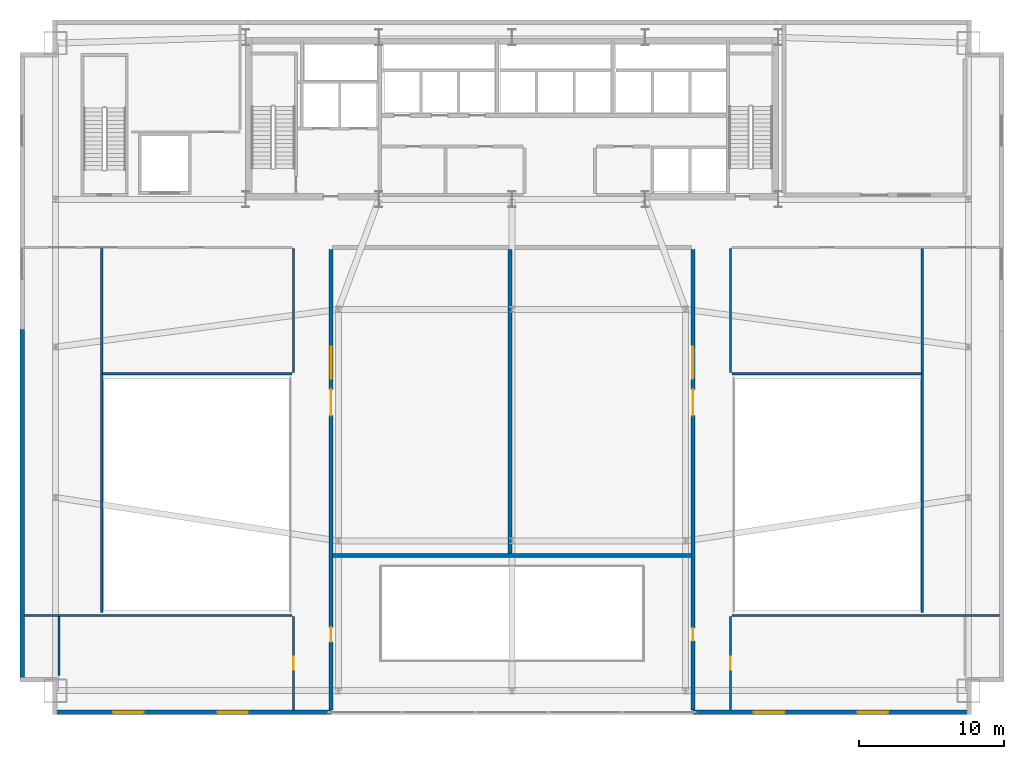
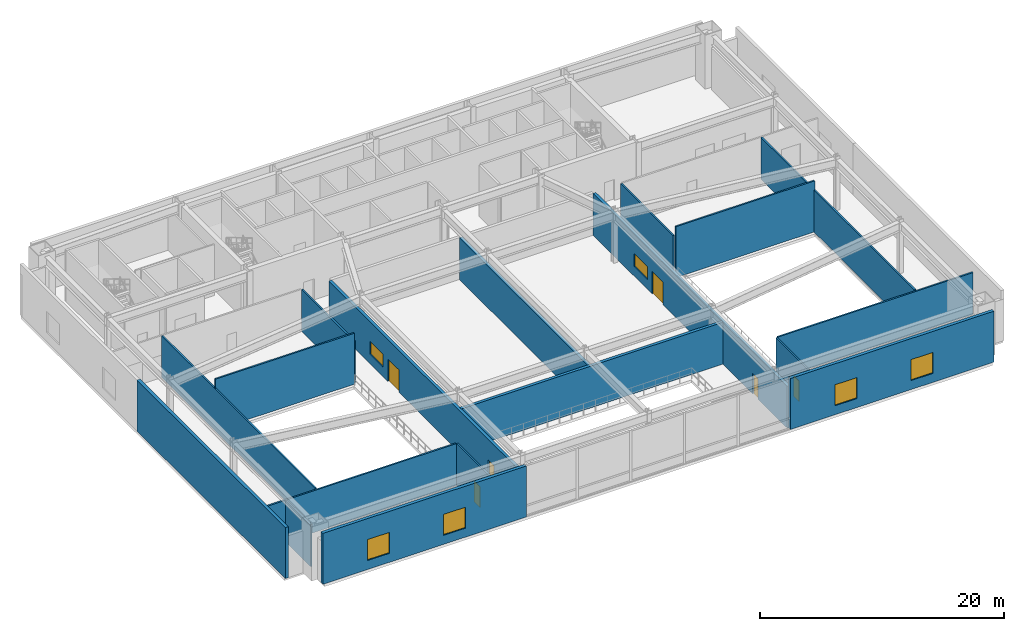
# One storey, part 8 of 13: 18 walls, 6 doors, 6 windows, 12 openings.
"""IFC4 building model written with IfcOpenShell, lengths in metres."""

from ifc_helpers import new_model, si_unit, direction, frame, frame_2d, origin, place, context, subcontext, project, spatial, rectangle, extrude, source, transform, mapped, material, layer, layer_set, type_object, type_shapes, element, fill, save


model = new_model("IFC4")

# Units and contexts
model_context = context("Model", 3, precision=1e-05, world=origin(), true_north=direction((0.0, 1.0)))
body_context = subcontext(model_context, "Body", "Model", "MODEL_VIEW")
ifc_project = project(units=[si_unit("LENGTHUNIT", "METRE"), si_unit("AREAUNIT", "SQUARE_METRE"), si_unit("VOLUMEUNIT", "CUBIC_METRE"), si_unit("PLANEANGLEUNIT", "RADIAN"), si_unit("MASSUNIT", "GRAM", prefix="KILO")], contexts=[model_context])

# Site, building, storey
site_placement = place(None, origin())
site = spatial("IfcSite", under=ifc_project, at=site_placement, CompositionType="ELEMENT")
building_placement = place(site_placement, origin())
building = spatial("IfcBuilding", under=site, at=building_placement, Name="Varnel Quay Broadcast Tower", CompositionType="ELEMENT")
storey_placement = place(building_placement, frame((0.0, 0.0, 6.0)))
storey = spatial("IfcBuildingStorey", under=building, at=storey_placement, Name="L01", CompositionType="ELEMENT", Elevation=6.0)

# Wall, openings, windows
ifc_material_1 = material(Name="Precast Architectural Concrete C40/50", Category="concrete")
ifc_layer_1 = layer(ifc_material_1, 0.300048828125, Name="Precast Architectural Concrete C40/50")
ifc_layer_set_1 = layer_set([ifc_layer_1], Name="Precast Architectural Concrete C40/50")
wall_type_1 = type_object("IfcWallType", Name="Wall_ExtPodium300", PredefinedType="SOLIDWALL", material=ifc_layer_set_1)
wall_1_placement = place(storey_placement, frame((2.25, 0.14990234375, 0.0), z_axis=(0.0, 0.0, 1.0), x_axis=(1.0, 0.0, 0.0)))
wall_1 = element("IfcWall", 1, at=wall_1_placement, inside=storey, type_object=wall_type_1, Name="L01 Podium Acoustic Exterior Wall SW", PredefinedType="SOLIDWALL", context=body_context, shape_type="SweptSolid", body=[
    extrude(rectangle(XDim=19.25, YDim=0.300048828125, at=frame_2d((9.625, 0.0))), origin(), (0.0, 0.0, 1.0), 5.10009765625),
])
opening_1_placement = place(wall_1_placement, frame((4.199951171875, 0.0, 0.89990234375)))
opening_1 = element("IfcOpeningElement", 2, at=opening_1_placement, cuts=wall_1, Name="Opening W-03", PredefinedType="OPENING", context=body_context, shape_type="SweptSolid", body=[
    extrude(rectangle(XDim=2.10009765625, YDim=2.10009765625, at=frame_2d((1.050048828125, 1.050048828125))), frame((0.0, 0.16015625, 0.0), z_axis=(0.0, -1.0, 0.0), x_axis=(1.0, 0.0, 0.0)), (0.0, 0.0, 1.0), 0.320068359375),
])
opening_2_placement = place(wall_1_placement, frame((11.39990234375, 0.0, 0.89990234375)))
opening_2 = element("IfcOpeningElement", 3, at=opening_2_placement, cuts=wall_1, Name="Opening W-03", PredefinedType="OPENING", context=body_context, shape_type="SweptSolid", body=[
    extrude(rectangle(XDim=2.10009765625, YDim=2.10009765625, at=frame_2d((1.050048828125, 1.050048828125))), frame((0.0, 0.16015625, 0.0), z_axis=(0.0, -1.0, 0.0), x_axis=(1.0, 0.0, 0.0)), (0.0, 0.0, 1.0), 0.320068359375),
])
ifc_material_2 = material(Name="Triple-Glazed Bronze Low-E Architectural Glass", Category="glass")
window_type_1 = type_object("IfcWindowType", Name="Win_PodiumGallery2100", PartitioningType="DOUBLE_PANEL_VERTICAL", PredefinedType="WINDOW", material=ifc_material_2)
shared_shape_1 = source(origin(), body_context, "Body", "SweptSolid", [
    extrude(rectangle(XDim=2.10009765625, YDim=2.10009765625, at=frame_2d((1.050048828125, 1.050048828125))), frame((0.0, 0.030029296875, 0.0), z_axis=(0.0, -1.0, 0.0), x_axis=(1.0, 0.0, 0.0)), (0.0, 0.0, 1.0), 0.06005859375),
])
type_shapes(window_type_1, [shared_shape_1])
window_1_placement = place(opening_1_placement, origin())
window_1 = element("IfcWindow", 4, at=window_1_placement, inside=storey, type_object=window_type_1, Name="L01 Podium Window SW-1", OverallHeight=2.10009765625, OverallWidth=2.10009765625, PartitioningType="DOUBLE_PANEL_VERTICAL", PredefinedType="WINDOW", context=body_context, shape_type="MappedRepresentation", body=[
    mapped(shared_shape_1, transform((0.0, 0.0, 0.0), x_axis=(1.0, 0.0, 0.0), y_axis=(0.0, 1.0, 0.0), z_axis=(0.0, 0.0, 1.0), scale=1.0)),
])
fill(opening_1, window_1)
window_2_placement = place(opening_2_placement, origin())
window_2 = element("IfcWindow", 5, at=window_2_placement, inside=storey, type_object=window_type_1, Name="L01 Podium Window SW-2", OverallHeight=2.10009765625, OverallWidth=2.10009765625, PartitioningType="DOUBLE_PANEL_VERTICAL", PredefinedType="WINDOW", context=body_context, shape_type="MappedRepresentation", body=[
    mapped(shared_shape_1, transform((0.0, 0.0, 0.0), x_axis=(1.0, 0.0, 0.0), y_axis=(0.0, 1.0, 0.0), z_axis=(0.0, 0.0, 1.0), scale=1.0)),
])
fill(opening_2, window_2)

wall_2_placement = place(storey_placement, frame((46.5, 0.14990234375, 0.0), z_axis=(0.0, 0.0, 1.0), x_axis=(1.0, 0.0, 0.0)))
wall_2 = element("IfcWall", 6, at=wall_2_placement, inside=storey, type_object=wall_type_1, Name="L01 Podium Acoustic Exterior Wall SE", PredefinedType="SOLIDWALL", context=body_context, shape_type="SweptSolid", body=[
    extrude(rectangle(XDim=19.25, YDim=0.300048828125, at=frame_2d((9.625, 0.0))), origin(), (0.0, 0.0, 1.0), 5.10009765625),
])
opening_3_placement = place(wall_2_placement, frame((4.199951171875, 0.0, 0.89990234375)))
opening_3 = element("IfcOpeningElement", 7, at=opening_3_placement, cuts=wall_2, Name="Opening W-03", PredefinedType="OPENING", context=body_context, shape_type="SweptSolid", body=[
    extrude(rectangle(XDim=2.10009765625, YDim=2.10009765625, at=frame_2d((1.050048828125, 1.050048828125))), frame((0.0, 0.16015625, 0.0), z_axis=(0.0, -1.0, 0.0), x_axis=(1.0, 0.0, 0.0)), (0.0, 0.0, 1.0), 0.320068359375),
])
opening_4_placement = place(wall_2_placement, frame((11.39990234375, 0.0, 0.89990234375)))
opening_4 = element("IfcOpeningElement", 8, at=opening_4_placement, cuts=wall_2, Name="Opening W-03", PredefinedType="OPENING", context=body_context, shape_type="SweptSolid", body=[
    extrude(rectangle(XDim=2.10009765625, YDim=2.10009765625, at=frame_2d((1.050048828125, 1.050048828125))), frame((0.0, 0.16015625, 0.0), z_axis=(0.0, -1.0, 0.0), x_axis=(1.0, 0.0, 0.0)), (0.0, 0.0, 1.0), 0.320068359375),
])
window_3_placement = place(opening_3_placement, origin())
window_3 = element("IfcWindow", 9, at=window_3_placement, inside=storey, type_object=window_type_1, Name="L01 Podium Window SE-1", OverallHeight=2.10009765625, OverallWidth=2.10009765625, PartitioningType="DOUBLE_PANEL_VERTICAL", PredefinedType="WINDOW", context=body_context, shape_type="MappedRepresentation", body=[
    mapped(shared_shape_1, transform((0.0, 0.0, 0.0), x_axis=(1.0, 0.0, 0.0), y_axis=(0.0, 1.0, 0.0), z_axis=(0.0, 0.0, 1.0), scale=1.0)),
])
fill(opening_3, window_3)
window_4_placement = place(opening_4_placement, origin())
window_4 = element("IfcWindow", 10, at=window_4_placement, inside=storey, type_object=window_type_1, Name="L01 Podium Window SE-2", OverallHeight=2.10009765625, OverallWidth=2.10009765625, PartitioningType="DOUBLE_PANEL_VERTICAL", PredefinedType="WINDOW", context=body_context, shape_type="MappedRepresentation", body=[
    mapped(shared_shape_1, transform((0.0, 0.0, 0.0), x_axis=(1.0, 0.0, 0.0), y_axis=(0.0, 1.0, 0.0), z_axis=(0.0, 0.0, 1.0), scale=1.0)),
])
fill(opening_4, window_4)

# Wall
wall_3_placement = place(storey_placement, frame((0.14990234375, 2.25, 0.0), z_axis=(0.0, 0.0, 1.0), x_axis=(0.0, 1.0, 0.0)))
element("IfcWall", 11, at=wall_3_placement, inside=storey, type_object=wall_type_1, Name="L01 Podium Acoustic Exterior Wall W1", PredefinedType="SOLIDWALL", context=body_context, shape_type="SweptSolid", body=[
    extrude(rectangle(XDim=24.35009765625, YDim=0.300048828125, at=frame_2d((12.175048828125, 0.0))), origin(), (0.0, 0.0, 1.0), 5.10009765625),
])

# Wall, opening, door
ifc_material_3 = material(Name="Steel-Stud Fire-Rated Acoustic Gypsum Partition Assembly", Category="steel")
ifc_layer_2 = layer(ifc_material_3, 0.14990234375, Name="Steel-Stud Fire-Rated Acoustic Gypsum Partition Assembly")
ifc_layer_set_2 = layer_set([ifc_layer_2], Name="Steel-Stud Fire-Rated Acoustic Gypsum Partition Assembly")
wall_type_2 = type_object("IfcWallType", Name="Wall_Partition150", PredefinedType="PARTITIONING", material=ifc_layer_set_2)
wall_4_placement = place(storey_placement, frame((18.89990234375, 0.31005859375, 0.0), z_axis=(0.0, 0.0, 1.0), x_axis=(0.0, 1.0, 0.0)))
wall_4 = element("IfcWall", 12, at=wall_4_placement, inside=storey, type_object=wall_type_2, Name="L01 South-West Catwalk Rigging Office Partition 13", PredefinedType="PARTITIONING", context=body_context, shape_type="SweptSolid", body=[
    extrude(rectangle(XDim=6.46484375, YDim=0.14990234375, at=frame_2d((3.232421875, 0.0))), origin(), (0.0, 0.0, 1.0), 4.18310546875),
])
opening_5_placement = place(wall_4_placement, frame((2.77294921875, 0.0, 0.0)))
opening_5 = element("IfcOpeningElement", 13, at=opening_5_placement, cuts=wall_4, Name="Opening D-L01-08", PredefinedType="OPENING", context=body_context, shape_type="SweptSolid", body=[
    extrude(rectangle(XDim=0.919921875, YDim=2.080078125, at=frame_2d((0.4599609375, 1.0400390625))), frame((0.0, 0.0849609375, 0.0), z_axis=(0.0, -1.0, 0.0), x_axis=(1.0, 0.0, 0.0)), (0.0, 0.0, 1.0), 0.169921875),
])
ifc_material_4 = material(Name="Solid-Core Fire-Rated Acoustic Oak Veneer Door", Category="wood")
door_type_1 = type_object("IfcDoorType", Name="Door_Office920", OperationType="NOTDEFINED", PredefinedType="DOOR", material=ifc_material_4)
shared_shape_2 = source(origin(), body_context, "Body", "SweptSolid", [
    extrude(rectangle(XDim=0.919921875, YDim=2.080078125, at=frame_2d((0.4599609375, 1.0400390625))), frame((0.0, 0.02490234375, 0.0), z_axis=(0.0, -1.0, 0.0), x_axis=(1.0, 0.0, 0.0)), (0.0, 0.0, 1.0), 0.050048828125),
])
type_shapes(door_type_1, [shared_shape_2])
door_1_placement = place(opening_5_placement, origin())
door_1 = element("IfcDoor", 14, at=door_1_placement, inside=storey, type_object=door_type_1, Name="L01 South-West Catwalk Rigging Office Door D-L01-08", OperationType="SINGLE_SWING_LEFT", OverallHeight=2.080078125, OverallWidth=0.919921875, PredefinedType="DOOR", context=body_context, shape_type="MappedRepresentation", body=[
    mapped(shared_shape_2, transform((0.0, 0.0, 0.0), x_axis=(1.0, 0.0, 0.0), y_axis=(0.0, 1.0, 0.0), z_axis=(0.0, 0.0, 1.0), scale=1.0)),
])
fill(opening_5, door_1)

# Walls
wall_5_placement = place(storey_placement, frame((0.31005859375, 6.85009765625, 0.0), z_axis=(0.0, 0.0, 1.0), x_axis=(1.0, 0.0, 0.0)))
element("IfcWall", 15, at=wall_5_placement, inside=storey, type_object=wall_type_2, Name="L01 South-West Catwalk Rigging Office Partition 14", PredefinedType="PARTITIONING", context=body_context, shape_type="SweptSolid", body=[
    extrude(rectangle(XDim=18.489990234375, YDim=0.14990234375, at=frame_2d((9.2451171875, 0.0))), origin(), (0.0, 0.0, 1.0), 4.18310546875),
])
wall_6_placement = place(storey_placement, frame((2.699951171875, 2.699951171875, 0.0), z_axis=(0.0, 0.0, 1.0), x_axis=(0.0, 1.0, 0.0)))
element("IfcWall", 16, at=wall_6_placement, inside=storey, type_object=wall_type_2, Name="L01 South-West Catwalk Rigging Office Partition 15", PredefinedType="PARTITIONING", context=body_context, shape_type="SweptSolid", body=[
    extrude(rectangle(XDim=4.074951171875, YDim=0.14990234375, at=frame_2d((2.03759765625, 0.0))), origin(), (0.0, 0.0, 1.0), 4.18310546875),
])
wall_7_placement = place(storey_placement, frame((49.199951171875, 6.85009765625, 0.0), z_axis=(0.0, 0.0, 1.0), x_axis=(1.0, 0.0, 0.0)))
element("IfcWall", 17, at=wall_7_placement, inside=storey, type_object=wall_type_2, Name="L01 South-East Catwalk Rigging Office Partition 17", PredefinedType="PARTITIONING", context=body_context, shape_type="SweptSolid", body=[
    extrude(rectangle(XDim=18.489990234375, YDim=0.14990234375, at=frame_2d((9.2451171875, 0.0))), origin(), (0.0, 0.0, 1.0), 4.18310546875),
])

# Wall, opening, door
wall_8_placement = place(storey_placement, frame((49.10009765625, 0.31005859375, 0.0), z_axis=(0.0, 0.0, 1.0), x_axis=(0.0, 1.0, 0.0)))
wall_8 = element("IfcWall", 18, at=wall_8_placement, inside=storey, type_object=wall_type_2, Name="L01 South-East Catwalk Rigging Office Partition 18", PredefinedType="PARTITIONING", context=body_context, shape_type="SweptSolid", body=[
    extrude(rectangle(XDim=6.46484375, YDim=0.14990234375, at=frame_2d((3.232421875, 0.0))), origin(), (0.0, 0.0, 1.0), 4.18310546875),
])
opening_6_placement = place(wall_8_placement, frame((2.77294921875, 0.0, 0.0)))
opening_6 = element("IfcOpeningElement", 19, at=opening_6_placement, cuts=wall_8, Name="Opening D-L01-09", PredefinedType="OPENING", context=body_context, shape_type="SweptSolid", body=[
    extrude(rectangle(XDim=0.919921875, YDim=2.080078125, at=frame_2d((0.4599609375, 1.0400390625))), frame((0.0, 0.0849609375, 0.0), z_axis=(0.0, -1.0, 0.0), x_axis=(1.0, 0.0, 0.0)), (0.0, 0.0, 1.0), 0.169921875),
])
door_2_placement = place(opening_6_placement, frame((0.919921875, 0.0, 0.0), z_axis=(0.0, 0.0, 1.0), x_axis=(-1.0, 0.0, 0.0)))
door_2 = element("IfcDoor", 20, at=door_2_placement, inside=storey, type_object=door_type_1, Name="L01 South-East Catwalk Rigging Office Door D-L01-09", OperationType="SINGLE_SWING_RIGHT", OverallHeight=2.080078125, OverallWidth=0.919921875, PredefinedType="DOOR", context=body_context, shape_type="MappedRepresentation", body=[
    mapped(shared_shape_2, transform((0.0, 0.0, 0.0), x_axis=(1.0, 0.0, 0.0), y_axis=(0.0, 1.0, 0.0), z_axis=(0.0, 0.0, 1.0), scale=1.0)),
])
fill(opening_6, door_2)

# Walls
wall_9_placement = place(storey_placement, frame((5.64990234375, 23.550048828125, 0.0), z_axis=(0.0, 0.0, 1.0), x_axis=(1.0, 0.0, 0.0)))
element("IfcWall", 21, at=wall_9_placement, inside=storey, type_object=wall_type_2, Name="L01 North-West Stage Gallery Office Partition 19", PredefinedType="PARTITIONING", context=body_context, shape_type="SweptSolid", body=[
    extrude(rectangle(XDim=13.150146484375, YDim=0.14990234375, at=frame_2d((6.5751953125, 0.0))), origin(), (0.0, 0.0, 1.0), 5.10009765625),
])
wall_10_placement = place(storey_placement, frame((18.89990234375, 23.625, 0.0), z_axis=(0.0, 0.0, 1.0), x_axis=(0.0, 1.0, 0.0)))
element("IfcWall", 22, at=wall_10_placement, inside=storey, type_object=wall_type_2, Name="L01 North-West Stage Gallery Office Partition 20", PredefinedType="PARTITIONING", context=body_context, shape_type="SweptSolid", body=[
    extrude(rectangle(XDim=8.574951171875, YDim=0.14990234375, at=frame_2d((4.28759765625, 0.0))), origin(), (0.0, 0.0, 1.0), 4.18310546875),
])
wall_11_placement = place(storey_placement, frame((5.64990234375, 7.050048828125, 0.0), z_axis=(0.0, 0.0, 1.0), x_axis=(0.0, 1.0, 0.0)))
element("IfcWall", 23, at=wall_11_placement, inside=storey, type_object=wall_type_2, Name="L01 North-West Stage Gallery Office Partition 22", PredefinedType="PARTITIONING", context=body_context, shape_type="SweptSolid", body=[
    extrude(rectangle(XDim=25.14990234375, YDim=0.14990234375, at=frame_2d((12.574951171875, 0.0))), origin(), (0.0, 0.0, 1.0), 4.18310546875),
])
wall_12_placement = place(storey_placement, frame((49.199951171875, 23.550048828125, 0.0), z_axis=(0.0, 0.0, 1.0), x_axis=(1.0, 0.0, 0.0)))
element("IfcWall", 24, at=wall_12_placement, inside=storey, type_object=wall_type_2, Name="L01 North-East Stage Gallery Office Partition 23", PredefinedType="PARTITIONING", context=body_context, shape_type="SweptSolid", body=[
    extrude(rectangle(XDim=13.150146484375, YDim=0.14990234375, at=frame_2d((6.5751953125, 0.0))), origin(), (0.0, 0.0, 1.0), 5.10009765625),
])
wall_13_placement = place(storey_placement, frame((62.35009765625, 7.050048828125, 0.0), z_axis=(0.0, 0.0, 1.0), x_axis=(0.0, 1.0, 0.0)))
element("IfcWall", 25, at=wall_13_placement, inside=storey, type_object=wall_type_2, Name="L01 North-East Stage Gallery Office Partition 24", PredefinedType="PARTITIONING", context=body_context, shape_type="SweptSolid", body=[
    extrude(rectangle(XDim=25.14990234375, YDim=0.14990234375, at=frame_2d((12.574951171875, 0.0))), origin(), (0.0, 0.0, 1.0), 4.18310546875),
])
wall_14_placement = place(storey_placement, frame((49.10009765625, 23.625, 0.0), z_axis=(0.0, 0.0, 1.0), x_axis=(0.0, 1.0, 0.0)))
element("IfcWall", 26, at=wall_14_placement, inside=storey, type_object=wall_type_2, Name="L01 North-East Stage Gallery Office Partition 26", PredefinedType="PARTITIONING", context=body_context, shape_type="SweptSolid", body=[
    extrude(rectangle(XDim=8.574951171875, YDim=0.14990234375, at=frame_2d((4.28759765625, 0.0))), origin(), (0.0, 0.0, 1.0), 4.18310546875),
])
ifc_material_5 = material(Name="Double-Leaf Isolated Acoustic Studio Wall Concrete C40/50", Category="concrete")
ifc_layer_3 = layer(ifc_material_5, 0.280029296875, Name="Double-Leaf Isolated Acoustic Studio Wall Concrete C40/50")
ifc_layer_set_3 = layer_set([ifc_layer_3], Name="Double-Leaf Isolated Acoustic Studio Wall Concrete C40/50")
wall_type_3 = type_object("IfcWallType", Name="Wall_StudioAcoustic280", PredefinedType="SOLIDWALL", material=ifc_layer_set_3)
wall_15_placement = place(storey_placement, frame((21.60009765625, 11.0, 0.0), z_axis=(0.0, 0.0, 1.0), x_axis=(1.0, 0.0, 0.0)))
element("IfcWall", 27, at=wall_15_placement, inside=storey, type_object=wall_type_3, Name="L01 Studio A Vision Control Office Partition 8", PredefinedType="SOLIDWALL", context=body_context, shape_type="SweptSolid", body=[
    extrude(rectangle(XDim=24.7998046875, YDim=0.280029296875, at=frame_2d((12.39990234375, 0.0))), origin(), (0.0, 0.0, 1.0), 4.18310546875),
])
wall_16_placement = place(storey_placement, frame((33.85009765625, 11.139892578125, 0.0), z_axis=(0.0, 0.0, 1.0), x_axis=(0.0, 1.0, 0.0)))
element("IfcWall", 28, at=wall_16_placement, inside=storey, type_object=wall_type_3, Name="L01 Studio A Vision Control Office Partition 9", PredefinedType="SOLIDWALL", context=body_context, shape_type="SweptSolid", body=[
    extrude(rectangle(XDim=20.9951171875, YDim=0.280029296875, at=frame_2d((10.49755859375, 0.0))), origin(), (0.0, 0.0, 1.0), 4.18310546875),
])

# Wall, openings, doors, window
wall_17_placement = place(storey_placement, frame((21.5, 0.31005859375, 0.0), z_axis=(0.0, 0.0, 1.0), x_axis=(0.0, 1.0, 0.0)))
wall_17 = element("IfcWall", 29, at=wall_17_placement, inside=storey, type_object=wall_type_3, Name="L01 Studio A Vision Control Office Partition 11", PredefinedType="SOLIDWALL", context=body_context, shape_type="SweptSolid", body=[
    extrude(rectangle(XDim=31.824951171875, YDim=0.280029296875, at=frame_2d((15.91259765625, 0.0))), origin(), (0.0, 0.0, 1.0), 4.18310546875),
])
opening_7_placement = place(wall_17_placement, frame((20.35693359375, 0.0, 0.0)))
opening_7 = element("IfcOpeningElement", 30, at=opening_7_placement, cuts=wall_17, Name="Opening D-L01-04", PredefinedType="OPENING", context=body_context, shape_type="SweptSolid", body=[
    extrude(rectangle(XDim=1.800048828125, YDim=2.25, at=frame_2d((0.89990234375, 1.125))), frame((0.0, 0.14990234375, 0.0), z_axis=(0.0, -1.0, 0.0), x_axis=(1.0, 0.0, 0.0)), (0.0, 0.0, 1.0), 0.300048828125),
])
opening_8_placement = place(wall_17_placement, frame((22.906982421875, 0.0, 0.949951171875)))
opening_8 = element("IfcOpeningElement", 31, at=opening_8_placement, cuts=wall_17, Name="Opening W-INT01", PredefinedType="OPENING", context=body_context, shape_type="SweptSolid", body=[
    extrude(rectangle(XDim=2.199951171875, YDim=1.300048828125, at=frame_2d((1.10009765625, 0.64990234375))), frame((0.0, 0.14990234375, 0.0), z_axis=(0.0, -1.0, 0.0), x_axis=(1.0, 0.0, 0.0)), (0.0, 0.0, 1.0), 0.300048828125),
])
opening_9_placement = place(wall_17_placement, frame((4.719970703125, 0.0, 0.0)))
opening_9 = element("IfcOpeningElement", 32, at=opening_9_placement, cuts=wall_17, Name="Opening D-L01-06", PredefinedType="OPENING", context=body_context, shape_type="SweptSolid", body=[
    extrude(rectangle(XDim=1.0, YDim=2.10009765625, at=frame_2d((0.5, 1.050048828125))), frame((0.0, 0.14990234375, 0.0), z_axis=(0.0, -1.0, 0.0), x_axis=(1.0, 0.0, 0.0)), (0.0, 0.0, 1.0), 0.300048828125),
])
ifc_material_6 = material(Name="Insulated Fire-Rated Hollow Steel Door", Category="steel")
door_type_2 = type_object("IfcDoorType", Name="Door_StudioSound1800", OperationType="DOUBLE_DOOR_SINGLE_SWING", PredefinedType="DOOR", material=ifc_material_6)
shared_shape_3 = source(origin(), body_context, "Body", "SweptSolid", [
    extrude(rectangle(XDim=1.800048828125, YDim=2.25, at=frame_2d((0.89990234375, 1.125))), frame((0.0, 0.02490234375, 0.0), z_axis=(0.0, -1.0, 0.0), x_axis=(1.0, 0.0, 0.0)), (0.0, 0.0, 1.0), 0.050048828125),
])
type_shapes(door_type_2, [shared_shape_3])
door_3_placement = place(opening_7_placement, frame((1.800048828125, 0.0, 0.0), z_axis=(0.0, 0.0, 1.0), x_axis=(-1.0, 0.0, 0.0)))
door_3 = element("IfcDoor", 33, at=door_3_placement, inside=storey, type_object=door_type_2, Name="L01 Studio A Vision Control Office Door D-L01-04", OperationType="DOUBLE_DOOR_SINGLE_SWING", OverallHeight=2.25, OverallWidth=1.800048828125, PredefinedType="DOOR", context=body_context, shape_type="MappedRepresentation", body=[
    mapped(shared_shape_3, transform((0.0, 0.0, 0.0), x_axis=(1.0, 0.0, 0.0), y_axis=(0.0, 1.0, 0.0), z_axis=(0.0, 0.0, 1.0), scale=1.0)),
])
fill(opening_7, door_3)
ifc_material_7 = material(Name="Acoustic Laminated Control Glass", Category="glass")
window_type_2 = type_object("IfcWindowType", Name="Win_IntControlGallery", PartitioningType="SINGLE_PANEL", PredefinedType="WINDOW", material=ifc_material_7)
shared_shape_4 = source(origin(), body_context, "Body", "SweptSolid", [
    extrude(rectangle(XDim=2.199951171875, YDim=1.300048828125, at=frame_2d((1.10009765625, 0.64990234375))), frame((0.0, 0.030029296875, 0.0), z_axis=(0.0, -1.0, 0.0), x_axis=(1.0, 0.0, 0.0)), (0.0, 0.0, 1.0), 0.06005859375),
])
type_shapes(window_type_2, [shared_shape_4])
window_5_placement = place(opening_8_placement, origin())
window_5 = element("IfcWindow", 34, at=window_5_placement, inside=storey, type_object=window_type_2, Name="L01 Studio Control Observation Window 4", OverallHeight=1.300048828125, OverallWidth=2.199951171875, PartitioningType="SINGLE_PANEL", PredefinedType="WINDOW", context=body_context, shape_type="MappedRepresentation", body=[
    mapped(shared_shape_4, transform((0.0, 0.0, 0.0), x_axis=(1.0, 0.0, 0.0), y_axis=(0.0, 1.0, 0.0), z_axis=(0.0, 0.0, 1.0), scale=1.0)),
])
fill(opening_8, window_5)
door_type_3 = type_object("IfcDoorType", Name="Door_Exec1000", OperationType="NOTDEFINED", PredefinedType="DOOR", material=ifc_material_4)
shared_shape_5 = source(origin(), body_context, "Body", "SweptSolid", [
    extrude(rectangle(XDim=1.0, YDim=2.10009765625, at=frame_2d((0.5, 1.050048828125))), frame((0.0, 0.02490234375, 0.0), z_axis=(0.0, -1.0, 0.0), x_axis=(1.0, 0.0, 0.0)), (0.0, 0.0, 1.0), 0.050048828125),
])
type_shapes(door_type_3, [shared_shape_5])
door_4_placement = place(opening_9_placement, frame((1.0, 0.0, 0.0), z_axis=(0.0, 0.0, 1.0), x_axis=(-1.0, 0.0, 0.0)))
door_4 = element("IfcDoor", 35, at=door_4_placement, inside=storey, type_object=door_type_3, Name="L01 Forum Mezzanine West Lounge Door D-L01-06", OperationType="SINGLE_SWING_LEFT", OverallHeight=2.10009765625, OverallWidth=1.0, PredefinedType="DOOR", context=body_context, shape_type="MappedRepresentation", body=[
    mapped(shared_shape_5, transform((0.0, 0.0, 0.0), x_axis=(1.0, 0.0, 0.0), y_axis=(0.0, 1.0, 0.0), z_axis=(0.0, 0.0, 1.0), scale=1.0)),
])
fill(opening_9, door_4)

wall_18_placement = place(storey_placement, frame((46.5, 0.31005859375, 0.0), z_axis=(0.0, 0.0, 1.0), x_axis=(0.0, 1.0, 0.0)))
wall_18 = element("IfcWall", 36, at=wall_18_placement, inside=storey, type_object=wall_type_3, Name="L01 Studio B Audio Control Office Partition 12", PredefinedType="SOLIDWALL", context=body_context, shape_type="SweptSolid", body=[
    extrude(rectangle(XDim=31.824951171875, YDim=0.280029296875, at=frame_2d((15.91259765625, 0.0))), origin(), (0.0, 0.0, 1.0), 4.18310546875),
])
opening_10_placement = place(wall_18_placement, frame((20.35693359375, 0.0, 0.0)))
opening_10 = element("IfcOpeningElement", 37, at=opening_10_placement, cuts=wall_18, Name="Opening D-L01-05", PredefinedType="OPENING", context=body_context, shape_type="SweptSolid", body=[
    extrude(rectangle(XDim=1.800048828125, YDim=2.25, at=frame_2d((0.89990234375, 1.125))), frame((0.0, 0.14990234375, 0.0), z_axis=(0.0, -1.0, 0.0), x_axis=(1.0, 0.0, 0.0)), (0.0, 0.0, 1.0), 0.300048828125),
])
opening_11_placement = place(wall_18_placement, frame((22.906982421875, 0.0, 0.949951171875)))
opening_11 = element("IfcOpeningElement", 38, at=opening_11_placement, cuts=wall_18, Name="Opening W-INT01", PredefinedType="OPENING", context=body_context, shape_type="SweptSolid", body=[
    extrude(rectangle(XDim=2.199951171875, YDim=1.300048828125, at=frame_2d((1.10009765625, 0.64990234375))), frame((0.0, 0.14990234375, 0.0), z_axis=(0.0, -1.0, 0.0), x_axis=(1.0, 0.0, 0.0)), (0.0, 0.0, 1.0), 0.300048828125),
])
opening_12_placement = place(wall_18_placement, frame((4.780029296875, 0.0, 0.0)))
opening_12 = element("IfcOpeningElement", 39, at=opening_12_placement, cuts=wall_18, Name="Opening D-L01-07", PredefinedType="OPENING", context=body_context, shape_type="SweptSolid", body=[
    extrude(rectangle(XDim=0.8798828125, YDim=2.06005859375, at=frame_2d((0.43994140625, 1.030029296875))), frame((0.0, 0.14990234375, 0.0), z_axis=(0.0, -1.0, 0.0), x_axis=(1.0, 0.0, 0.0)), (0.0, 0.0, 1.0), 0.300048828125),
])
door_type_4 = type_object("IfcDoorType", Name="Door_Booth880", OperationType="NOTDEFINED", PredefinedType="DOOR", material=ifc_material_4)
shared_shape_6 = source(origin(), body_context, "Body", "SweptSolid", [
    extrude(rectangle(XDim=0.8798828125, YDim=2.06005859375, at=frame_2d((0.43994140625, 1.030029296875))), frame((0.0, 0.02490234375, 0.0), z_axis=(0.0, -1.0, 0.0), x_axis=(1.0, 0.0, 0.0)), (0.0, 0.0, 1.0), 0.050048828125),
])
type_shapes(door_type_4, [shared_shape_6])
door_5_placement = place(opening_12_placement, origin())
door_5 = element("IfcDoor", 40, at=door_5_placement, inside=storey, type_object=door_type_4, Name="L01 Forum Mezzanine East Cafe Kitchen Door D-L01-07", OperationType="SINGLE_SWING_RIGHT", OverallHeight=2.06005859375, OverallWidth=0.8798828125, PredefinedType="DOOR", context=body_context, shape_type="MappedRepresentation", body=[
    mapped(shared_shape_6, transform((0.0, 0.0, 0.0), x_axis=(1.0, 0.0, 0.0), y_axis=(0.0, 1.0, 0.0), z_axis=(0.0, 0.0, 1.0), scale=1.0)),
])
fill(opening_12, door_5)
door_6_placement = place(opening_10_placement, origin())
door_6 = element("IfcDoor", 41, at=door_6_placement, inside=storey, type_object=door_type_2, Name="L01 Studio B Audio Control Office Door D-L01-05", OperationType="DOUBLE_DOOR_SINGLE_SWING", OverallHeight=2.25, OverallWidth=1.800048828125, PredefinedType="DOOR", context=body_context, shape_type="MappedRepresentation", body=[
    mapped(shared_shape_3, transform((0.0, 0.0, 0.0), x_axis=(1.0, 0.0, 0.0), y_axis=(0.0, 1.0, 0.0), z_axis=(0.0, 0.0, 1.0), scale=1.0)),
])
fill(opening_10, door_6)
window_6_placement = place(opening_11_placement, origin())
window_6 = element("IfcWindow", 42, at=window_6_placement, inside=storey, type_object=window_type_2, Name="L01 Studio Control Observation Window 5", OverallHeight=1.300048828125, OverallWidth=2.199951171875, PartitioningType="SINGLE_PANEL", PredefinedType="WINDOW", context=body_context, shape_type="MappedRepresentation", body=[
    mapped(shared_shape_4, transform((0.0, 0.0, 0.0), x_axis=(1.0, 0.0, 0.0), y_axis=(0.0, 1.0, 0.0), z_axis=(0.0, 0.0, 1.0), scale=1.0)),
])
fill(opening_11, window_6)

save(model, "model.ifc")
